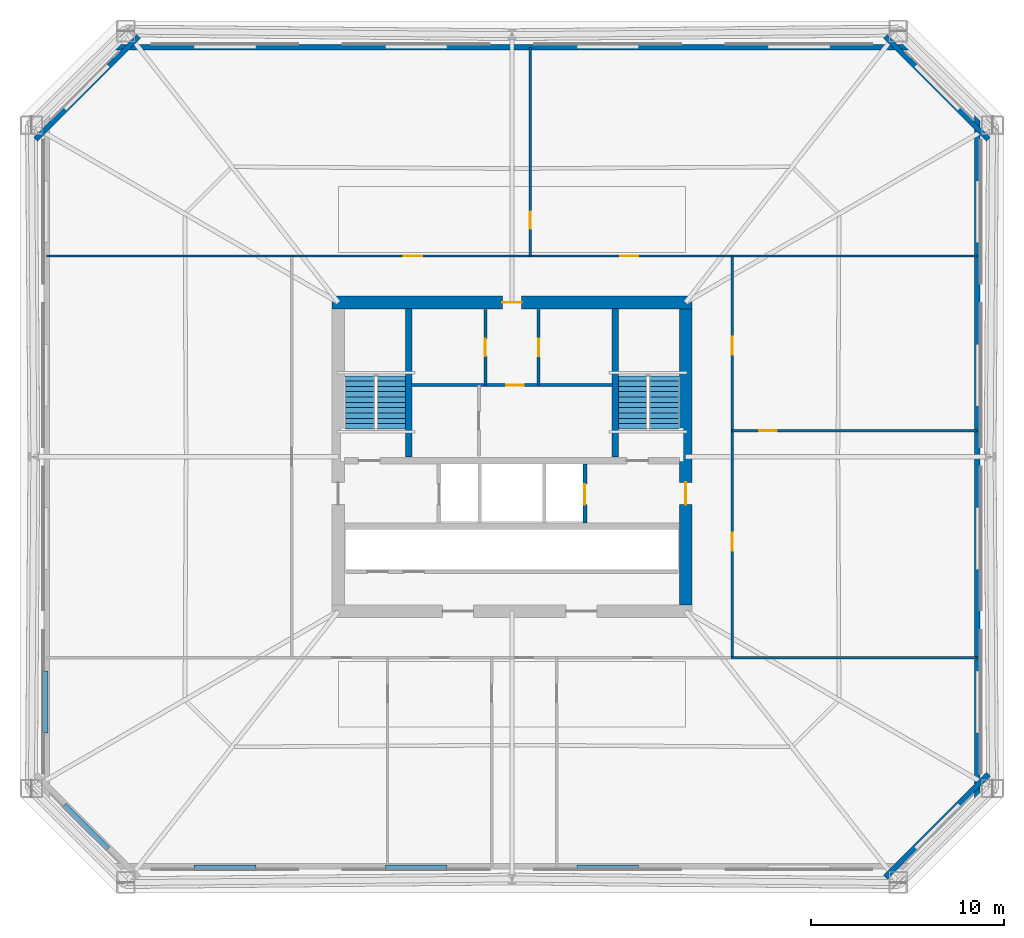
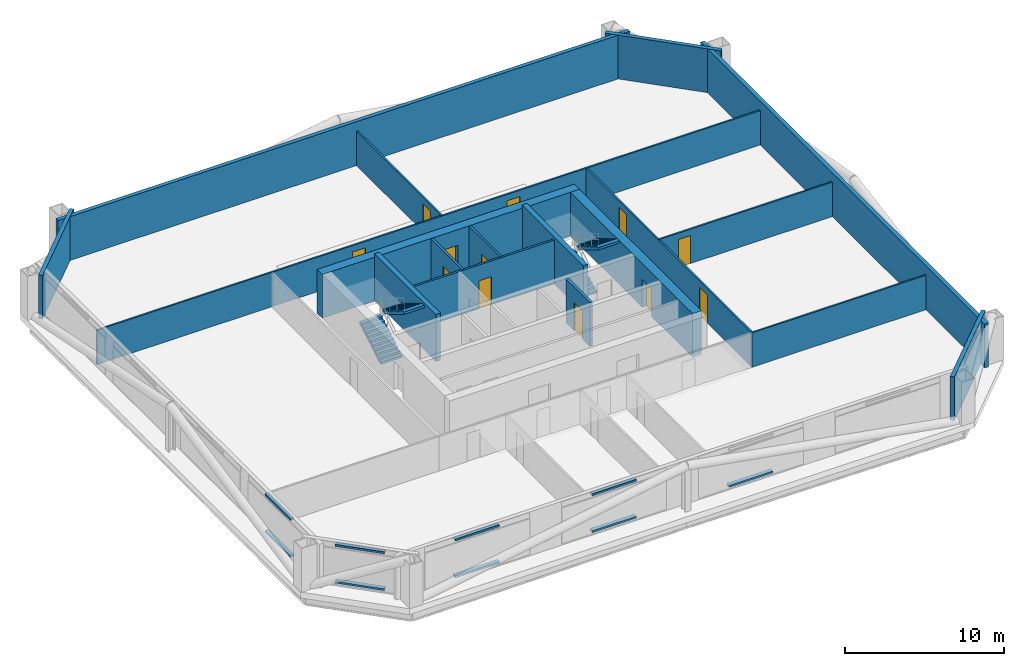
# One storey, part 5 of 8: 20 walls, 12 doors, 9 discrete accessories, 4 stair flights, 12 openings, 2 elements without a shape of their own.
"""IFC4 building model written with IfcOpenShell, lengths in metres."""

from ifc_helpers import new_model, si_unit, direction, frame, frame_2d, origin, origin_2d, place, context, subcontext, project, spatial, polyline, rectangle, outline, extrude, material, layer, layer_set, type_object, element, fill, aggregate, save


model = new_model("IFC4")

# Units and contexts
model_context = context("Model", 3, precision=1e-05, world=origin(), true_north=direction((0.0, 1.0)))
body_context = subcontext(model_context, "Body", "Model", "MODEL_VIEW")
ifc_project = project(units=[si_unit("LENGTHUNIT", "METRE"), si_unit("AREAUNIT", "SQUARE_METRE"), si_unit("VOLUMEUNIT", "CUBIC_METRE"), si_unit("PLANEANGLEUNIT", "RADIAN"), si_unit("MASSUNIT", "GRAM", prefix="KILO")], contexts=[model_context])

# Site, building, storey
site_placement = place(None, origin())
site = spatial("IfcSite", under=ifc_project, at=site_placement, CompositionType="ELEMENT")
building_placement = place(site_placement, origin())
building = spatial("IfcBuilding", under=site, at=building_placement, Name="Caelvoria Tower", CompositionType="ELEMENT")
storey_placement = place(building_placement, frame((0.0, 0.0, 49.60009765625)))
storey = spatial("IfcBuildingStorey", under=building, at=storey_placement, Name="L12", CompositionType="ELEMENT", Elevation=49.60009765625)

# Walls
ifc_material_1 = material(Name="Concrete C50/60", Category="concrete")
ifc_layer_1 = layer(ifc_material_1, 0.35009765625, Name="Concrete C50/60")
ifc_layer_set_1 = layer_set([ifc_layer_1], Name="Core Internal Shear Wall 350 - Concrete C50/60")
wall_type_1 = type_object("IfcWallType", Name="Core Internal Shear Wall 350", PredefinedType="SHEAR", material=ifc_layer_set_1)
for number, where, z_axis, x_axis, name in (
    (1, (40.64990234375, 32.0, 0.0), (0.0, 0.0, 1.0), (0.0, 1.0, 0.0), "Interior Partition IW-L12-ST1E"),
    (2, (51.35009765625, 32.0, 0.0), (0.0, 0.0, 1.0), (0.0, 1.0, 0.0), "Interior Partition IW-L12-ST2W"),
):
    element("IfcWall", number, at=place(storey_placement, frame(where, z_axis=z_axis, x_axis=x_axis)), inside=storey, type_object=wall_type_1, Name=name, PredefinedType="SHEAR", context=body_context, shape_type="SweptSolid", body=[
        extrude(rectangle(XDim=7.699951171875, YDim=0.35009765625, at=frame_2d((3.85009765625, 0.0))), origin(), (0.0, 0.0, 1.0), 3.599853515625),
    ])

# Wall, opening, door
ifc_material_2 = material(Name="Double Gypsum Board on Steel Stud", Category="steel")
ifc_layer_2 = layer(ifc_material_2, 0.14990234375, Name="Double Gypsum Board on Steel Stud")
ifc_layer_set_2 = layer_set([ifc_layer_2], Name="Core Service Acoustic Partition Wall 150 - Double Gypsum Board on Steel Stud")
wall_type_2 = type_object("IfcWallType", Name="Core Service Acoustic Partition Wall 150", PredefinedType="PARTITIONING", material=ifc_layer_set_2)
wall_1_placement = place(storey_placement, frame((44.6201171875, 35.719970703125, 0.0), z_axis=(0.0, 0.0, 1.0), x_axis=(0.0, 1.0, 0.0)))
wall_1 = element("IfcWall", 3, at=wall_1_placement, inside=storey, type_object=wall_type_2, Name="Interior Partition IW-L12-C0L", PredefinedType="PARTITIONING", context=body_context, shape_type="SweptSolid", body=[
    extrude(rectangle(XDim=3.929931640625, YDim=0.14990234375, at=frame_2d((1.96484375, 0.0))), origin(), (0.0, 0.0, 1.0), 3.35986328125),
])
opening_1_placement = place(wall_1_placement, frame((1.5, 0.0, 0.0)))
opening_1 = element("IfcOpeningElement", 4, at=opening_1_placement, cuts=wall_1, Name="Opening ID-06", PredefinedType="OPENING", context=body_context, shape_type="SweptSolid", body=[
    extrude(rectangle(XDim=0.89990234375, YDim=2.14990234375, at=frame_2d((0.449951171875, 1.074951171875))), frame((0.0, 0.0849609375, 0.0), z_axis=(0.0, -1.0, 0.0), x_axis=(1.0, 0.0, 0.0)), (0.0, 0.0, 1.0), 0.169921875),
])
ifc_material_3 = material(Name="Engineered Andean Oak Veneer Door", Category="wood")
door_type_1 = type_object("IfcDoorType", Name="Interior Timber Door 900x2150", OperationType="NOTDEFINED", PredefinedType="DOOR", material=ifc_material_3)
door_1_placement = place(opening_1_placement, origin())
door_1 = element("IfcDoor", 5, at=door_1_placement, inside=storey, type_object=door_type_1, Name="Interior Door DR-L12-C01", OperationType="SINGLE_SWING_LEFT", OverallHeight=2.14990234375, OverallWidth=0.89990234375, PredefinedType="DOOR", context=body_context, shape_type="SweptSolid", body=[
    extrude(rectangle(XDim=0.89990234375, YDim=2.14990234375, at=frame_2d((0.449951171875, 1.074951171875))), frame((0.0, 0.02490234375, 0.0), z_axis=(0.0, -1.0, 0.0), x_axis=(1.0, 0.0, 0.0)), (0.0, 0.0, 1.0), 0.050048828125),
])
fill(opening_1, door_1)

wall_2_placement = place(storey_placement, frame((47.3798828125, 35.719970703125, 0.0), z_axis=(0.0, 0.0, 1.0), x_axis=(0.0, 1.0, 0.0)))
wall_2 = element("IfcWall", 6, at=wall_2_placement, inside=storey, type_object=wall_type_2, Name="Interior Partition IW-L12-C0R", PredefinedType="PARTITIONING", context=body_context, shape_type="SweptSolid", body=[
    extrude(rectangle(XDim=3.929931640625, YDim=0.14990234375, at=frame_2d((1.96484375, 0.0))), origin(), (0.0, 0.0, 1.0), 3.35986328125),
])
opening_2_placement = place(wall_2_placement, frame((1.5, 0.0, 0.0)))
opening_2 = element("IfcOpeningElement", 7, at=opening_2_placement, cuts=wall_2, Name="Opening ID-06", PredefinedType="OPENING", context=body_context, shape_type="SweptSolid", body=[
    extrude(rectangle(XDim=0.89990234375, YDim=2.14990234375, at=frame_2d((0.449951171875, 1.074951171875))), frame((0.0, 0.0849609375, 0.0), z_axis=(0.0, -1.0, 0.0), x_axis=(1.0, 0.0, 0.0)), (0.0, 0.0, 1.0), 0.169921875),
])
door_2_placement = place(opening_2_placement, origin())
door_2 = element("IfcDoor", 8, at=door_2_placement, inside=storey, type_object=door_type_1, Name="Interior Door DR-L12-C02", OperationType="SINGLE_SWING_RIGHT", OverallHeight=2.14990234375, OverallWidth=0.89990234375, PredefinedType="DOOR", context=body_context, shape_type="SweptSolid", body=[
    extrude(rectangle(XDim=0.89990234375, YDim=2.14990234375, at=frame_2d((0.449951171875, 1.074951171875))), frame((0.0, 0.02490234375, 0.0), z_axis=(0.0, -1.0, 0.0), x_axis=(1.0, 0.0, 0.0)), (0.0, 0.0, 1.0), 0.050048828125),
])
fill(opening_2, door_2)

wall_3_placement = place(storey_placement, frame((40.800048828125, 35.719970703125, 0.0), z_axis=(0.0, 0.0, 1.0), x_axis=(1.0, 0.0, 0.0)))
wall_3 = element("IfcWall", 9, at=wall_3_placement, inside=storey, type_object=wall_type_2, Name="Interior Partition IW-L12-C0H", PredefinedType="PARTITIONING", context=body_context, shape_type="SweptSolid", body=[
    extrude(rectangle(XDim=10.39990234375, YDim=0.14990234375, at=frame_2d((5.199951171875, 0.0))), origin(), (0.0, 0.0, 1.0), 3.35986328125),
])
opening_3_placement = place(wall_3_placement, frame((4.89990234375, 0.0, 0.0)))
opening_3 = element("IfcOpeningElement", 10, at=opening_3_placement, cuts=wall_3, Name="Opening ID-04", PredefinedType="OPENING", context=body_context, shape_type="SweptSolid", body=[
    extrude(rectangle(XDim=0.89990234375, YDim=2.14990234375, at=frame_2d((0.449951171875, 1.074951171875))), frame((0.0, 0.0849609375, 0.0), z_axis=(0.0, -1.0, 0.0), x_axis=(1.0, 0.0, 0.0)), (0.0, 0.0, 1.0), 0.169921875),
])
ifc_material_4 = material(Name="Acoustic Timber Fire Door", Category="wood")
door_type_2 = type_object("IfcDoorType", Name="Fire Door FD30S 900x2150", OperationType="NOTDEFINED", PredefinedType="DOOR", material=ifc_material_4)
door_3_placement = place(opening_3_placement, origin())
door_3 = element("IfcDoor", 11, at=door_3_placement, inside=storey, type_object=door_type_2, Name="Interior Door DR-L12-C04", OperationType="SINGLE_SWING_RIGHT", OverallHeight=2.14990234375, OverallWidth=0.89990234375, PredefinedType="DOOR", context=body_context, shape_type="SweptSolid", body=[
    extrude(rectangle(XDim=0.89990234375, YDim=2.14990234375, at=frame_2d((0.449951171875, 1.074951171875))), frame((0.0, 0.02490234375, 0.0), z_axis=(0.0, -1.0, 0.0), x_axis=(1.0, 0.0, 0.0)), (0.0, 0.0, 1.0), 0.050048828125),
])
fill(opening_3, door_3)

# Walls
ifc_material_5 = material(Name="Precast Concrete C40/50 with Bronze Cladding", Category="concrete")
ifc_layer_3 = layer(ifc_material_5, 0.280029296875, Name="Precast Concrete C40/50 with Bronze Cladding")
ifc_layer_set_3 = layer_set([ifc_layer_3], Name="Exterior Precast Concrete C40/50 Bronze-Clad Facade Wall 280 - Precast Concrete C40/50 with Bronze Cladding")
wall_type_3 = type_object("IfcWallType", Name="Exterior Precast Concrete C40/50 Bronze-Clad Facade Wall 280", PredefinedType="STANDARD", material=ifc_layer_set_3)
wall_4_placement = place(storey_placement, frame((65.3544921875, 10.2060546875, 0.0), z_axis=(0.0, 0.0, 1.0), x_axis=(0.707106781187, 0.707106781187, 0.0)))
element("IfcWall", 12, at=wall_4_placement, inside=storey, type_object=wall_type_3, Name="Exterior Facade Wall L12-E1", PredefinedType="STANDARD", context=body_context, shape_type="SweptSolid", body=[
    extrude(rectangle(XDim=7.551025390625, YDim=0.280029296875, at=frame_2d((3.775390625, 0.0))), origin(), (0.0, 0.0, 1.0), 3.35986328125),
])
wall_5_placement = place(storey_placement, frame((70.1201171875, 14.159912109375, 0.0), z_axis=(0.0, 0.0, 1.0), x_axis=(0.0, 1.0, 0.0)))
element("IfcWall", 13, at=wall_5_placement, inside=storey, type_object=wall_type_3, Name="Exterior Facade Wall L12-E2", PredefinedType="STANDARD", context=body_context, shape_type="SweptSolid", body=[
    extrude(rectangle(XDim=35.68017578125, YDim=0.280029296875, at=frame_2d((17.840087890625, 0.0))), origin(), (0.0, 0.0, 1.0), 3.35986328125),
])
wall_6_placement = place(storey_placement, frame((70.69384765625, 48.45458984375, 0.0), z_axis=(0.0, 0.0, 1.0), x_axis=(-0.707106781187, 0.707106781187, 0.0)))
element("IfcWall", 14, at=wall_6_placement, inside=storey, type_object=wall_type_3, Name="Exterior Facade Wall L12-E3", PredefinedType="STANDARD", context=body_context, shape_type="SweptSolid", body=[
    extrude(rectangle(XDim=7.551025390625, YDim=0.280029296875, at=frame_2d((3.775390625, 0.0))), origin(), (0.0, 0.0, 1.0), 3.35986328125),
])
wall_7_placement = place(storey_placement, frame((66.739990234375, 53.219970703125, 0.0), z_axis=(0.0, 0.0, 1.0), x_axis=(-1.0, 0.0, 0.0)))
element("IfcWall", 15, at=wall_7_placement, inside=storey, type_object=wall_type_3, Name="Exterior Facade Wall L12-E4", PredefinedType="STANDARD", context=body_context, shape_type="SweptSolid", body=[
    extrude(rectangle(XDim=41.47998046875, YDim=0.280029296875, at=frame_2d((20.739990234375, 0.0))), origin(), (0.0, 0.0, 1.0), 3.35986328125),
])
wall_8_placement = place(storey_placement, frame((26.6455078125, 53.7939453125, 0.0), z_axis=(0.0, 0.0, 1.0), x_axis=(-0.707106781187, -0.707106781187, 0.0)))
element("IfcWall", 16, at=wall_8_placement, inside=storey, type_object=wall_type_3, Name="Exterior Facade Wall L12-E5", PredefinedType="STANDARD", context=body_context, shape_type="SweptSolid", body=[
    extrude(rectangle(XDim=7.551025390625, YDim=0.280029296875, at=frame_2d((3.775390625, 0.0))), origin(), (0.0, 0.0, 1.0), 3.35986328125),
])

# Wall, opening, door
ifc_material_6 = material(Name="Concrete Block and Fireboard Assembly", Category="concrete")
ifc_layer_4 = layer(ifc_material_6, 0.199951171875, Name="Concrete Block and Fireboard Assembly")
ifc_layer_set_4 = layer_set([ifc_layer_4], Name="Fire-Rated Shaft and Core Partition Wall 200 - Concrete Block and Fireboard Assembly")
wall_type_4 = type_object("IfcWallType", Name="Fire-Rated Shaft and Core Partition Wall 200", PredefinedType="PARTITIONING", material=ifc_layer_set_4)
wall_9_placement = place(storey_placement, frame((49.780029296875, 28.580078125, 0.0), z_axis=(0.0, 0.0, 1.0), x_axis=(0.0, 1.0, 0.0)))
wall_9 = element("IfcWall", 17, at=wall_9_placement, inside=storey, type_object=wall_type_4, Name="Interior Partition IW-L12-LF2E", PredefinedType="PARTITIONING", context=body_context, shape_type="SweptSolid", body=[
    extrude(rectangle(XDim=3.0400390625, YDim=0.199951171875, at=frame_2d((1.52001953125, 0.0))), origin(), (0.0, 0.0, 1.0), 3.35986328125),
])
opening_4_placement = place(wall_9_placement, frame((0.949951171875, 0.0, 0.0)))
opening_4 = element("IfcOpeningElement", 18, at=opening_4_placement, cuts=wall_9, Name="Opening LD-01", PredefinedType="OPENING", context=body_context, shape_type="SweptSolid", body=[
    extrude(rectangle(XDim=1.050048828125, YDim=2.14990234375, at=frame_2d((0.52490234375, 1.074951171875))), frame((0.0, 0.10986328125, 0.0), z_axis=(0.0, -1.0, 0.0), x_axis=(1.0, 0.0, 0.0)), (0.0, 0.0, 1.0), 0.219970703125),
])
ifc_material_7 = material(Name="Brushed Bronze Stainless Sliding Landing Door", Category="aluminium")
door_type_3 = type_object("IfcDoorType", Name="Lift Landing Sliding Door 1100x2150", OperationType="NOTDEFINED", PredefinedType="DOOR", material=ifc_material_7)
door_4_placement = place(opening_4_placement, origin())
door_4 = element("IfcDoor", 19, at=door_4_placement, inside=storey, type_object=door_type_3, Name="Interior Door LD-L12-LF2", OperationType="SLIDING_TO_RIGHT", OverallHeight=2.14990234375, OverallWidth=1.050048828125, PredefinedType="DOOR", context=body_context, shape_type="SweptSolid", body=[
    extrude(rectangle(XDim=1.050048828125, YDim=2.14990234375, at=frame_2d((0.52490234375, 1.074951171875))), frame((0.0, 0.02490234375, 0.0), z_axis=(0.0, -1.0, 0.0), x_axis=(1.0, 0.0, 0.0)), (0.0, 0.0, 1.0), 0.050048828125),
])
fill(opening_4, door_4)

ifc_material_8 = material(Name="Concrete C60/75", Category="concrete")
ifc_layer_5 = layer(ifc_material_8, 0.64990234375, Name="Concrete C60/75")
ifc_layer_set_5 = layer_set([ifc_layer_5], Name="Lower Core Shear Wall 650 - Concrete C60/75")
wall_type_5 = type_object("IfcWallType", Name="Lower Core Shear Wall 650", PredefinedType="SHEAR", material=ifc_layer_set_5)
wall_10_placement = place(storey_placement, frame((36.675048828125, 40.0, 0.0), z_axis=(0.0, 0.0, 1.0), x_axis=(1.0, 0.0, 0.0)))
wall_10 = element("IfcWall", 20, at=wall_10_placement, inside=storey, type_object=wall_type_5, Name="Core Shear Wall L12 N", PredefinedType="SHEAR", context=body_context, shape_type="SweptSolid", body=[
    extrude(rectangle(XDim=18.64990234375, YDim=0.64990234375, at=frame_2d((9.324951171875, 0.0))), origin(), (0.0, 0.0, 1.0), 3.35986328125),
])
opening_5_placement = place(wall_10_placement, frame((8.824951171875, 0.0, 0.0)))
opening_5 = element("IfcOpeningElement", 21, at=opening_5_placement, cuts=wall_10, Name="Opening ID-03", PredefinedType="OPENING", context=body_context, shape_type="SweptSolid", body=[
    extrude(rectangle(XDim=1.0, YDim=2.14990234375, at=frame_2d((0.5, 1.074951171875))), frame((0.0, 0.3349609375, 0.0), z_axis=(0.0, -1.0, 0.0), x_axis=(1.0, 0.0, 0.0)), (0.0, 0.0, 1.0), 0.669921875),
])
ifc_material_9 = material(Name="Painted Hollow Steel Fire Door", Category="steel")
door_type_4 = type_object("IfcDoorType", Name="Fire Door FD60S 1000x2150", OperationType="NOTDEFINED", PredefinedType="DOOR", material=ifc_material_9)
door_5_placement = place(opening_5_placement, origin())
door_5 = element("IfcDoor", 22, at=door_5_placement, inside=storey, type_object=door_type_4, Name="Core Door DR-L12-WC-MAIN", OperationType="SINGLE_SWING_RIGHT", OverallHeight=2.14990234375, OverallWidth=1.0, PredefinedType="DOOR", context=body_context, shape_type="SweptSolid", body=[
    extrude(rectangle(XDim=1.0, YDim=2.14990234375, at=frame_2d((0.5, 1.074951171875))), frame((0.0, 0.02490234375, 0.0), z_axis=(0.0, -1.0, 0.0), x_axis=(1.0, 0.0, 0.0)), (0.0, 0.0, 1.0), 0.050048828125),
])
fill(opening_5, door_5)

wall_11_placement = place(storey_placement, frame((55.0, 24.324951171875, 0.0), z_axis=(0.0, 0.0, 1.0), x_axis=(0.0, 1.0, 0.0)))
wall_11 = element("IfcWall", 23, at=wall_11_placement, inside=storey, type_object=wall_type_5, Name="Core Shear Wall L12 E", PredefinedType="SHEAR", context=body_context, shape_type="SweptSolid", body=[
    extrude(rectangle(XDim=15.35009765625, YDim=0.64990234375, at=frame_2d((7.675048828125, 0.0))), origin(), (0.0, 0.0, 1.0), 3.35986328125),
])
opening_6_placement = place(wall_11_placement, frame((5.199951171875, 0.0, 0.0)))
opening_6 = element("IfcOpeningElement", 24, at=opening_6_placement, cuts=wall_11, Name="Opening ID-02", PredefinedType="OPENING", context=body_context, shape_type="SweptSolid", body=[
    extrude(rectangle(XDim=1.14990234375, YDim=2.14990234375, at=frame_2d((0.574951171875, 1.074951171875))), frame((0.0, 0.3349609375, 0.0), z_axis=(0.0, -1.0, 0.0), x_axis=(1.0, 0.0, 0.0)), (0.0, 0.0, 1.0), 0.669921875),
])
door_type_5 = type_object("IfcDoorType", Name="Fire Door FD60S 1150x2150", OperationType="NOTDEFINED", PredefinedType="DOOR", material=ifc_material_9)
door_6_placement = place(opening_6_placement, origin())
door_6 = element("IfcDoor", 25, at=door_6_placement, inside=storey, type_object=door_type_5, Name="Core Door DR-L12-FFLE-OUT", OperationType="SINGLE_SWING_RIGHT", OverallHeight=2.14990234375, OverallWidth=1.14990234375, PredefinedType="DOOR", context=body_context, shape_type="SweptSolid", body=[
    extrude(rectangle(XDim=1.14990234375, YDim=2.14990234375, at=frame_2d((0.574951171875, 1.074951171875))), frame((0.0, 0.02490234375, 0.0), z_axis=(0.0, -1.0, 0.0), x_axis=(1.0, 0.0, 0.0)), (0.0, 0.0, 1.0), 0.050048828125),
])
fill(opening_6, door_6)

ifc_material_10 = material(Name="Acoustic Gypsum Board on Light-Gauge Stud", Category="gypsum")
ifc_layer_6 = layer(ifc_material_10, 0.1201171875, Name="Acoustic Gypsum Board on Light-Gauge Stud")
ifc_layer_set_6 = layer_set([ifc_layer_6], Name="Tenant Suite Acoustic Partition Wall 120 - Acoustic Gypsum Board on Light-Gauge Stud")
wall_type_6 = type_object("IfcWallType", Name="Tenant Suite Acoustic Partition Wall 120", PredefinedType="PARTITIONING", material=ifc_layer_set_6)
wall_12_placement = place(storey_placement, frame((46.9501953125, 42.409912109375, 0.0), z_axis=(0.0, 0.0, 1.0), x_axis=(0.0, 1.0, 0.0)))
wall_12 = element("IfcWall", 26, at=wall_12_placement, inside=storey, type_object=wall_type_6, Name="Interior Partition IW-L12-ND-00-0", PredefinedType="PARTITIONING", context=body_context, shape_type="SweptSolid", body=[
    extrude(rectangle(XDim=10.81005859375, YDim=0.1201171875, at=frame_2d((5.405029296875, 0.0))), origin(), (0.0, 0.0, 1.0), 2.639892578125),
])
opening_7_placement = place(wall_12_placement, frame((1.39990234375, 0.0, 0.0)))
opening_7 = element("IfcOpeningElement", 27, at=opening_7_placement, cuts=wall_12, Name="Opening ID-06", PredefinedType="OPENING", context=body_context, shape_type="SweptSolid", body=[
    extrude(rectangle(XDim=0.89990234375, YDim=2.14990234375, at=frame_2d((0.449951171875, 1.074951171875))), frame((0.0, 0.070068359375, 0.0), z_axis=(0.0, -1.0, 0.0), x_axis=(1.0, 0.0, 0.0)), (0.0, 0.0, 1.0), 0.14013671875),
])
door_7_placement = place(opening_7_placement, origin())
door_7 = element("IfcDoor", 28, at=door_7_placement, inside=storey, type_object=door_type_1, Name="Interior Door DR-L12-NM-00-0", OperationType="SINGLE_SWING_RIGHT", OverallHeight=2.14990234375, OverallWidth=0.89990234375, PredefinedType="DOOR", context=body_context, shape_type="SweptSolid", body=[
    extrude(rectangle(XDim=0.89990234375, YDim=2.14990234375, at=frame_2d((0.449951171875, 1.074951171875))), frame((0.0, 0.02490234375, 0.0), z_axis=(0.0, -1.0, 0.0), x_axis=(1.0, 0.0, 0.0)), (0.0, 0.0, 1.0), 0.050048828125),
])
fill(opening_7, door_7)

# Wall, openings, doors
wall_13_placement = place(storey_placement, frame((34.64990234375, 42.409912109375, 0.0), z_axis=(0.0, 0.0, 1.0), x_axis=(1.0, 0.0, 0.0)))
wall_13 = element("IfcWall", 29, at=wall_13_placement, inside=storey, type_object=wall_type_6, Name="Interior Partition IW-L12-NCW-0", PredefinedType="PARTITIONING", context=body_context, shape_type="SweptSolid", body=[
    extrude(rectangle(XDim=22.7001953125, YDim=0.1201171875, at=frame_2d((11.35009765625, 0.0))), origin(), (0.0, 0.0, 1.0), 2.639892578125),
])
opening_8_placement = place(wall_13_placement, frame((5.7451171875, 0.0, 0.0)))
opening_8 = element("IfcOpeningElement", 30, at=opening_8_placement, cuts=wall_13, Name="Opening ID-05", PredefinedType="OPENING", context=body_context, shape_type="SweptSolid", body=[
    extrude(rectangle(XDim=0.949951171875, YDim=2.14990234375, at=frame_2d((0.47509765625, 1.074951171875))), frame((0.0, 0.070068359375, 0.0), z_axis=(0.0, -1.0, 0.0), x_axis=(1.0, 0.0, 0.0)), (0.0, 0.0, 1.0), 0.14013671875),
])
opening_9_placement = place(wall_13_placement, frame((16.955078125, 0.0, 0.0)))
opening_9 = element("IfcOpeningElement", 31, at=opening_9_placement, cuts=wall_13, Name="Opening ID-05", PredefinedType="OPENING", context=body_context, shape_type="SweptSolid", body=[
    extrude(rectangle(XDim=0.949951171875, YDim=2.14990234375, at=frame_2d((0.47509765625, 1.074951171875))), frame((0.0, 0.070068359375, 0.0), z_axis=(0.0, -1.0, 0.0), x_axis=(1.0, 0.0, 0.0)), (0.0, 0.0, 1.0), 0.14013671875),
])
door_type_6 = type_object("IfcDoorType", Name="Interior Timber Door 950x2150", OperationType="NOTDEFINED", PredefinedType="DOOR", material=ifc_material_3)
door_8_placement = place(opening_8_placement, origin())
door_8 = element("IfcDoor", 32, at=door_8_placement, inside=storey, type_object=door_type_6, Name="Interior Door DR-L12-NC-00-0", OperationType="SINGLE_SWING_LEFT", OverallHeight=2.14990234375, OverallWidth=0.949951171875, PredefinedType="DOOR", context=body_context, shape_type="SweptSolid", body=[
    extrude(rectangle(XDim=0.949951171875, YDim=2.14990234375, at=frame_2d((0.47509765625, 1.074951171875))), frame((0.0, 0.02490234375, 0.0), z_axis=(0.0, -1.0, 0.0), x_axis=(1.0, 0.0, 0.0)), (0.0, 0.0, 1.0), 0.050048828125),
])
fill(opening_8, door_8)
door_9_placement = place(opening_9_placement, origin())
door_9 = element("IfcDoor", 33, at=door_9_placement, inside=storey, type_object=door_type_6, Name="Interior Door DR-L12-NC-01-0", OperationType="SINGLE_SWING_RIGHT", OverallHeight=2.14990234375, OverallWidth=0.949951171875, PredefinedType="DOOR", context=body_context, shape_type="SweptSolid", body=[
    extrude(rectangle(XDim=0.949951171875, YDim=2.14990234375, at=frame_2d((0.47509765625, 1.074951171875))), frame((0.0, 0.02490234375, 0.0), z_axis=(0.0, -1.0, 0.0), x_axis=(1.0, 0.0, 0.0)), (0.0, 0.0, 1.0), 0.050048828125),
])
fill(opening_9, door_9)

# Wall, opening, door
wall_14_placement = place(storey_placement, frame((57.409912109375, 33.3583984375, 0.0), z_axis=(0.0, 0.0, 1.0), x_axis=(1.0, 0.0, 0.0)))
wall_14 = element("IfcWall", 34, at=wall_14_placement, inside=storey, type_object=wall_type_6, Name="Interior Partition IW-L12-ED-00-0", PredefinedType="PARTITIONING", context=body_context, shape_type="SweptSolid", body=[
    extrude(rectangle(XDim=12.710205078125, YDim=0.1201171875, at=frame_2d((6.35498046875, 0.0))), origin(), (0.0, 0.0, 1.0), 2.639892578125),
])
opening_10_placement = place(wall_14_placement, frame((1.39990234375, 0.0, 0.0)))
opening_10 = element("IfcOpeningElement", 35, at=opening_10_placement, cuts=wall_14, Name="Opening ID-06", PredefinedType="OPENING", context=body_context, shape_type="SweptSolid", body=[
    extrude(rectangle(XDim=0.89990234375, YDim=2.14990234375, at=frame_2d((0.449951171875, 1.074951171875))), frame((0.0, 0.070068359375, 0.0), z_axis=(0.0, -1.0, 0.0), x_axis=(1.0, 0.0, 0.0)), (0.0, 0.0, 1.0), 0.14013671875),
])
door_10_placement = place(opening_10_placement, origin())
door_10 = element("IfcDoor", 36, at=door_10_placement, inside=storey, type_object=door_type_1, Name="Interior Door DR-L12-EM-00-0", OperationType="SINGLE_SWING_RIGHT", OverallHeight=2.14990234375, OverallWidth=0.89990234375, PredefinedType="DOOR", context=body_context, shape_type="SweptSolid", body=[
    extrude(rectangle(XDim=0.89990234375, YDim=2.14990234375, at=frame_2d((0.449951171875, 1.074951171875))), frame((0.0, 0.02490234375, 0.0), z_axis=(0.0, -1.0, 0.0), x_axis=(1.0, 0.0, 0.0)), (0.0, 0.0, 1.0), 0.050048828125),
])
fill(opening_10, door_10)

# Wall, openings, doors
wall_15_placement = place(storey_placement, frame((57.409912109375, 21.64990234375, 0.0), z_axis=(0.0, 0.0, 1.0), x_axis=(0.0, 1.0, 0.0)))
wall_15 = element("IfcWall", 37, at=wall_15_placement, inside=storey, type_object=wall_type_6, Name="Interior Partition IW-L12-ECW-0", PredefinedType="PARTITIONING", context=body_context, shape_type="SweptSolid", body=[
    extrude(rectangle(XDim=20.7001953125, YDim=0.1201171875, at=frame_2d((10.35009765625, 0.0))), origin(), (0.0, 0.0, 1.0), 2.639892578125),
])
opening_11_placement = place(wall_15_placement, frame((5.47900390625, 0.0, 0.0)))
opening_11 = element("IfcOpeningElement", 38, at=opening_11_placement, cuts=wall_15, Name="Opening ID-05", PredefinedType="OPENING", context=body_context, shape_type="SweptSolid", body=[
    extrude(rectangle(XDim=0.949951171875, YDim=2.14990234375, at=frame_2d((0.47509765625, 1.074951171875))), frame((0.0, 0.070068359375, 0.0), z_axis=(0.0, -1.0, 0.0), x_axis=(1.0, 0.0, 0.0)), (0.0, 0.0, 1.0), 0.14013671875),
])
opening_12_placement = place(wall_15_placement, frame((15.629150390625, 0.0, 0.0)))
opening_12 = element("IfcOpeningElement", 39, at=opening_12_placement, cuts=wall_15, Name="Opening ID-05", PredefinedType="OPENING", context=body_context, shape_type="SweptSolid", body=[
    extrude(rectangle(XDim=0.949951171875, YDim=2.14990234375, at=frame_2d((0.47509765625, 1.074951171875))), frame((0.0, 0.070068359375, 0.0), z_axis=(0.0, -1.0, 0.0), x_axis=(1.0, 0.0, 0.0)), (0.0, 0.0, 1.0), 0.14013671875),
])
door_11_placement = place(opening_11_placement, origin())
door_11 = element("IfcDoor", 40, at=door_11_placement, inside=storey, type_object=door_type_6, Name="Interior Door DR-L12-EC-00-0", OperationType="SINGLE_SWING_LEFT", OverallHeight=2.14990234375, OverallWidth=0.949951171875, PredefinedType="DOOR", context=body_context, shape_type="SweptSolid", body=[
    extrude(rectangle(XDim=0.949951171875, YDim=2.14990234375, at=frame_2d((0.47509765625, 1.074951171875))), frame((0.0, 0.02490234375, 0.0), z_axis=(0.0, -1.0, 0.0), x_axis=(1.0, 0.0, 0.0)), (0.0, 0.0, 1.0), 0.050048828125),
])
fill(opening_11, door_11)
door_12_placement = place(opening_12_placement, origin())
door_12 = element("IfcDoor", 41, at=door_12_placement, inside=storey, type_object=door_type_6, Name="Interior Door DR-L12-EC-01-0", OperationType="SINGLE_SWING_RIGHT", OverallHeight=2.14990234375, OverallWidth=0.949951171875, PredefinedType="DOOR", context=body_context, shape_type="SweptSolid", body=[
    extrude(rectangle(XDim=0.949951171875, YDim=2.14990234375, at=frame_2d((0.47509765625, 1.074951171875))), frame((0.0, 0.02490234375, 0.0), z_axis=(0.0, -1.0, 0.0), x_axis=(1.0, 0.0, 0.0)), (0.0, 0.0, 1.0), 0.050048828125),
])
fill(opening_12, door_12)

# Walls
for number, where, z_axis, x_axis, name in (
    (42, (57.35009765625, 21.590087890625, 0.0), (0.0, 0.0, 1.0), (1.0, 0.0, 0.0), "Interior Partition IW-L12-BSE-0"),
    (43, (34.64990234375, 42.409912109375, 0.0), (0.0, 0.0, 1.0), (-1.0, 0.0, 0.0), "Interior Partition IW-L12-BNW-0"),
    (44, (57.35009765625, 42.409912109375, 0.0), (0.0, 0.0, 1.0), (1.0, 0.0, 0.0), "Interior Partition IW-L12-BNE-0"),
):
    element("IfcWall", number, at=place(storey_placement, frame(where, z_axis=z_axis, x_axis=x_axis)), inside=storey, type_object=wall_type_6, Name=name, PredefinedType="PARTITIONING", context=body_context, shape_type="SweptSolid", body=[
        extrude(rectangle(XDim=12.77001953125, YDim=0.1201171875, at=frame_2d((6.385009765625, 0.0))), origin(), (0.0, 0.0, 1.0), 2.639892578125),
    ])

# Stair, stair flights
ifc_material_11 = material(Name="Concrete C40/50", Category="concrete")
stair_type = type_object("IfcStairType", Name="Core Smokeproof Dogleg Stair Concrete C40/50", PredefinedType="HALF_TURN_STAIR", material=ifc_material_11)
stair_1_placement = place(storey_placement, origin())
stair_1 = element("IfcStair", 45, at=stair_1_placement, inside=storey, type_object=stair_type, Name="ST-01 Smokeproof Exit Stair L12", PredefinedType="HALF_TURN_STAIR")
ifc_material_12 = material(Name="Precast Concrete C40/50", Category="concrete")
stair_flight_type = type_object("IfcStairFlightType", Name="Precast Concrete C40/50 Stair Flight 1480", PredefinedType="STRAIGHT", material=ifc_material_12)
stair_flight_1_placement = place(storey_placement, frame((38.1298828125, 33.449951171875, 0.0), z_axis=(0.0, 0.0, 1.0), x_axis=(0.0, 1.0, 0.0)))
stair_flight_1 = element("IfcStairFlight", 46, at=stair_flight_1_placement, type_object=stair_flight_type, Name="ST-01 flight 1", NumberOfRisers=11, NumberOfTreads=10, PredefinedType="STRAIGHT", RiserHeight=0.1636, TreadLength=0.275, context=body_context, shape_type="SweptSolid", body=[
    extrude(outline(polyline([(0.0, 0.0), (0.0, 0.16357421875), (0.27490234375, 0.16357421875), (0.27490234375, 0.3271484375), (0.550048828125, 0.3271484375), (0.550048828125, 0.49072265625), (0.824951171875, 0.49072265625), (0.824951171875, 0.654296875), (1.10009765625, 0.654296875), (1.10009765625, 0.818115234375), (1.375, 0.818115234375), (1.375, 0.981689453125), (1.64990234375, 0.981689453125), (1.64990234375, 1.145263671875), (1.925048828125, 1.145263671875), (1.925048828125, 1.308837890625), (2.199951171875, 1.308837890625), (2.199951171875, 1.472412109375), (2.47509765625, 1.472412109375), (2.47509765625, 1.635986328125), (2.75, 1.635986328125), (2.75, 1.799560546875), (2.75, 1.449951171875), (0.312744140625, 0.0), (0.0, 0.0)])), frame((0.0, 0.77001953125, 0.0), z_axis=(0.0, -1.0, 0.0), x_axis=(1.0, 0.0, 0.0)), (0.0, 0.0, 1.0), 1.5400390625),
])
stair_flight_2_placement = place(storey_placement, frame((39.77001953125, 36.199951171875, 1.7998046875), z_axis=(0.0, 0.0, 1.0), x_axis=(0.0, -1.0, 0.0)))
stair_flight_2 = element("IfcStairFlight", 47, at=stair_flight_2_placement, type_object=stair_flight_type, Name="ST-01 flight 2", NumberOfRisers=11, NumberOfTreads=10, PredefinedType="STRAIGHT", RiserHeight=0.1636, TreadLength=0.275, context=body_context, shape_type="SweptSolid", body=[
    extrude(outline(polyline([(0.0, 0.0), (0.0, 0.16357421875), (0.27490234375, 0.16357421875), (0.27490234375, 0.3271484375), (0.550048828125, 0.3271484375), (0.550048828125, 0.49072265625), (0.824951171875, 0.49072265625), (0.824951171875, 0.654296875), (1.10009765625, 0.654296875), (1.10009765625, 0.818115234375), (1.375, 0.818115234375), (1.375, 0.981689453125), (1.64990234375, 0.981689453125), (1.64990234375, 1.145263671875), (1.925048828125, 1.145263671875), (1.925048828125, 1.308837890625), (2.199951171875, 1.308837890625), (2.199951171875, 1.472412109375), (2.47509765625, 1.472412109375), (2.47509765625, 1.635986328125), (2.75, 1.635986328125), (2.75, 1.799560546875), (2.75, 1.449951171875), (0.312744140625, 0.0), (0.0, 0.0)])), frame((0.0, 0.77001953125, 0.0), z_axis=(0.0, -1.0, 0.0), x_axis=(1.0, 0.0, 0.0)), (0.0, 0.0, 1.0), 1.5400390625),
])
aggregate(stair_1, [stair_flight_1, stair_flight_2])

stair_2_placement = place(storey_placement, origin())
stair_2 = element("IfcStair", 48, at=stair_2_placement, inside=storey, type_object=stair_type, Name="ST-02 Smokeproof Exit Stair L12", PredefinedType="HALF_TURN_STAIR")
stair_flight_3_placement = place(storey_placement, frame((52.22998046875, 33.449951171875, 0.0), z_axis=(0.0, 0.0, 1.0), x_axis=(0.0, 1.0, 0.0)))
stair_flight_3 = element("IfcStairFlight", 49, at=stair_flight_3_placement, type_object=stair_flight_type, Name="ST-02 flight 1", NumberOfRisers=11, NumberOfTreads=10, PredefinedType="STRAIGHT", RiserHeight=0.1636, TreadLength=0.275, context=body_context, shape_type="SweptSolid", body=[
    extrude(outline(polyline([(0.0, 0.0), (0.0, 0.16357421875), (0.27490234375, 0.16357421875), (0.27490234375, 0.3271484375), (0.550048828125, 0.3271484375), (0.550048828125, 0.49072265625), (0.824951171875, 0.49072265625), (0.824951171875, 0.654296875), (1.10009765625, 0.654296875), (1.10009765625, 0.818115234375), (1.375, 0.818115234375), (1.375, 0.981689453125), (1.64990234375, 0.981689453125), (1.64990234375, 1.145263671875), (1.925048828125, 1.145263671875), (1.925048828125, 1.308837890625), (2.199951171875, 1.308837890625), (2.199951171875, 1.472412109375), (2.47509765625, 1.472412109375), (2.47509765625, 1.635986328125), (2.75, 1.635986328125), (2.75, 1.799560546875), (2.75, 1.449951171875), (0.312744140625, 0.0), (0.0, 0.0)])), frame((0.0, 0.77001953125, 0.0), z_axis=(0.0, -1.0, 0.0), x_axis=(1.0, 0.0, 0.0)), (0.0, 0.0, 1.0), 1.5400390625),
])
stair_flight_4_placement = place(storey_placement, frame((53.8701171875, 36.199951171875, 1.7998046875), z_axis=(0.0, 0.0, 1.0), x_axis=(0.0, -1.0, 0.0)))
stair_flight_4 = element("IfcStairFlight", 50, at=stair_flight_4_placement, type_object=stair_flight_type, Name="ST-02 flight 2", NumberOfRisers=11, NumberOfTreads=10, PredefinedType="STRAIGHT", RiserHeight=0.1636, TreadLength=0.275, context=body_context, shape_type="SweptSolid", body=[
    extrude(outline(polyline([(0.0, 0.0), (0.0, 0.16357421875), (0.27490234375, 0.16357421875), (0.27490234375, 0.3271484375), (0.550048828125, 0.3271484375), (0.550048828125, 0.49072265625), (0.824951171875, 0.49072265625), (0.824951171875, 0.654296875), (1.10009765625, 0.654296875), (1.10009765625, 0.818115234375), (1.375, 0.818115234375), (1.375, 0.981689453125), (1.64990234375, 0.981689453125), (1.64990234375, 1.145263671875), (1.925048828125, 1.145263671875), (1.925048828125, 1.308837890625), (2.199951171875, 1.308837890625), (2.199951171875, 1.472412109375), (2.47509765625, 1.472412109375), (2.47509765625, 1.635986328125), (2.75, 1.635986328125), (2.75, 1.799560546875), (2.75, 1.449951171875), (0.312744140625, 0.0), (0.0, 0.0)])), frame((0.0, 0.77001953125, 0.0), z_axis=(0.0, -1.0, 0.0), x_axis=(1.0, 0.0, 0.0)), (0.0, 0.0, 1.0), 1.5400390625),
])
aggregate(stair_2, [stair_flight_3, stair_flight_4])

# Discrete accessories
ifc_material_13 = material(Name="Anodised Bronze Stainless Bracket", Category="bronze")
discrete_accessory_type = type_object("IfcDiscreteAccessoryType", Name="Solar Screen Outrigger Support Bracket", PredefinedType="BRACKET", material=ifc_material_13)
for number, where, z_axis, x_axis, name in (
    (51, (31.1201171875, 10.702880859375, 0.23974609375), (0.0, 0.0, 1.0), (1.0, 0.0, 0.0), "Solar Screen Bracket L12-E0-00"),
    (52, (31.1201171875, 10.702880859375, 3.06005859375), (0.0, 0.0, 1.0), (1.0, 0.0, 0.0), "Upper Screen Band Bracket L12-E0-00"),
    (53, (41.0400390625, 10.702880859375, 0.23974609375), (0.0, 0.0, 1.0), (1.0, 0.0, 0.0), "Solar Screen Bracket L12-E0-01"),
    (54, (41.0400390625, 10.702880859375, 3.06005859375), (0.0, 0.0, 1.0), (1.0, 0.0, 0.0), "Upper Screen Band Bracket L12-E0-01"),
    (55, (50.9599609375, 10.702880859375, 0.23974609375), (0.0, 0.0, 1.0), (1.0, 0.0, 0.0), "Solar Screen Bracket L12-E0-02"),
    (56, (21.802978515625, 19.294921875, 0.23974609375), (0.0, 0.0, 1.0), (0.0, -1.0, 0.0), "Solar Screen Bracket L12-E6-03"),
    (57, (21.802978515625, 19.294921875, 3.06005859375), (0.0, 0.0, 1.0), (0.0, -1.0, 0.0), "Upper Screen Band Bracket L12-E6-03"),
    (58, (23.92138671875, 12.8212890625, 0.23974609375), (0.0, 0.0, 1.0), (0.707106781187, -0.707106781187, 0.0), "Solar Screen Bracket L12-E7-00"),
    (59, (23.92138671875, 12.8212890625, 3.06005859375), (0.0, 0.0, 1.0), (0.707106781187, -0.707106781187, 0.0), "Upper Screen Band Bracket L12-E7-00"),
):
    element("IfcDiscreteAccessory", number, at=place(storey_placement, frame(where, z_axis=z_axis, x_axis=x_axis)), inside=storey, type_object=discrete_accessory_type, Name=name, PredefinedType="BRACKET", context=body_context, shape_type="SweptSolid", body=[
        extrude(rectangle(XDim=3.199951171875, YDim=0.280029296875, at=origin_2d()), origin(), (0.0, 0.0, 1.0), 0.159912109375),
    ])

save(model, "model.ifc")
